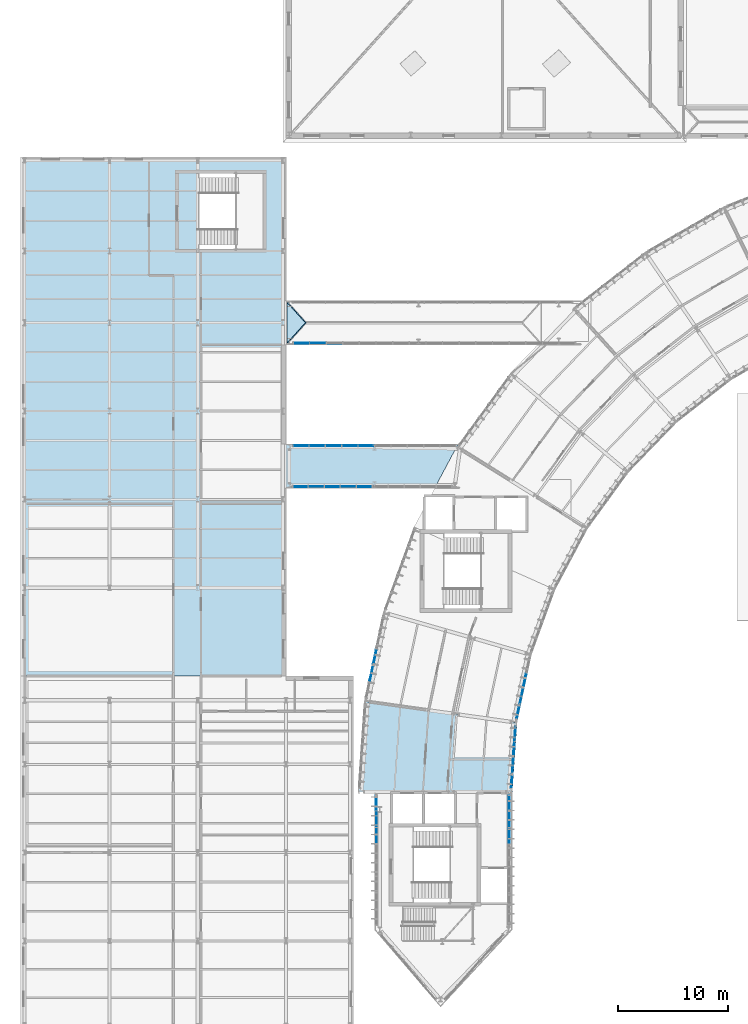
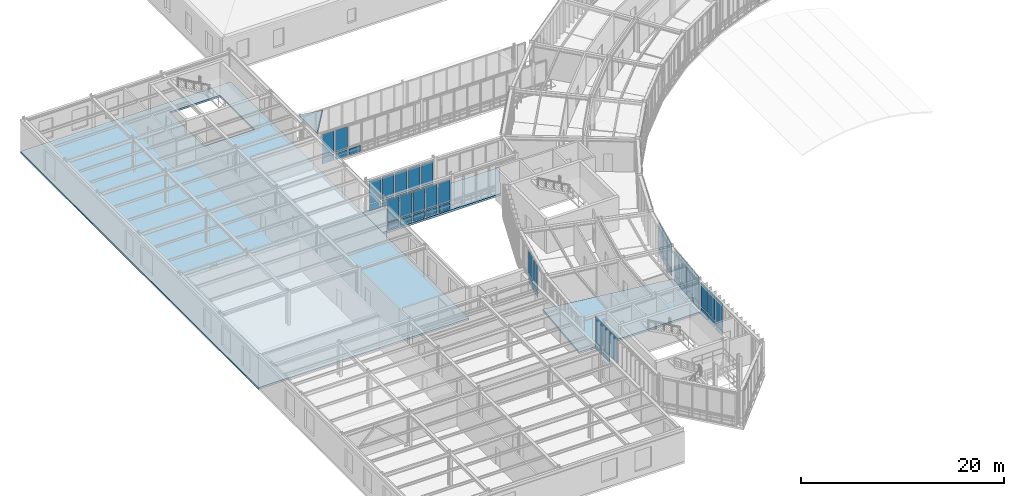
# One storey, part 26 of 57: 54 plates, 4 slabs, 8 elements without a shape of their own.
"""IFC4 building model written with IfcOpenShell, lengths in metres."""

from ifc_helpers import new_model, si_unit, direction, frame, origin, origin_2d, place, context, subcontext, project, spatial, polyline, rectangle, outline, extrude, material, layer, layer_set, type_object, element, aggregate, save


model = new_model("IFC4")

# Units and contexts
model_context = context("Model", 3, precision=1e-05, world=origin(), true_north=direction((0.0, 1.0)))
body_context = subcontext(model_context, "Body", "Model", "MODEL_VIEW")
ifc_project = project(units=[si_unit("LENGTHUNIT", "METRE"), si_unit("AREAUNIT", "SQUARE_METRE"), si_unit("VOLUMEUNIT", "CUBIC_METRE"), si_unit("PLANEANGLEUNIT", "RADIAN"), si_unit("MASSUNIT", "GRAM", prefix="KILO"), si_unit("THERMODYNAMICTEMPERATUREUNIT", "KELVIN"), si_unit("POWERUNIT", "WATT")], contexts=[model_context])

# Site, building, storey
site_placement = place(None, origin())
site = spatial("IfcSite", under=ifc_project, at=site_placement, CompositionType="ELEMENT")
building_placement = place(site_placement, origin())
building = spatial("IfcBuilding", under=site, at=building_placement, Name="Solvatero Civic Police Headquarters", CompositionType="ELEMENT")
storey_placement = place(building_placement, frame((0.0, 0.0, 9.300048828125)))
storey = spatial("IfcBuildingStorey", under=building, at=storey_placement, Name="L02", CompositionType="ELEMENT", Elevation=9.300048828125)

# Curtain wall, plate
ifc_material_1 = material(Name="Anodized Bronze Aluminium", Category="aluminium")
ifc_layer_1 = layer(ifc_material_1, 0.179931640625)
ifc_layer_set_1 = layer_set([ifc_layer_1], Name="Anodized Bronze Aluminium")
curtain_wall_type_1 = type_object("IfcCurtainWallType", Name="CW-ARC-OUT", PredefinedType="USERDEFINED", material=ifc_layer_set_1)
curtain_wall_1_placement = place(storey_placement, origin())
curtain_wall_1 = element("IfcCurtainWall", 1, at=curtain_wall_1_placement, inside=storey, type_object=curtain_wall_type_1, Name="Curtain Wall CW-R2-L02-ARC-OUT-B11", ObjectType="UNITISED", PredefinedType="USERDEFINED")
ifc_material_2 = material(Name="Triple Low-E Laminated Glass", Category="glass")
ifc_layer_2 = layer(ifc_material_2, 0.0380859375)
ifc_layer_set_2 = layer_set([ifc_layer_2], Name="Triple Low-E Laminated Glass")
plate_type_1 = type_object("IfcPlateType", Name="CWP-GLZ-38", PredefinedType="CURTAIN_PANEL", material=ifc_layer_set_2)
plate_1_placement = place(storey_placement, frame((36.2265625, 36.704833984375, 0.91015625), z_axis=(0.0, 0.0, 1.0), x_axis=(-0.207911690818, -0.978147600734, 0.0)))
plate_1 = element("IfcPlate", 2, at=plate_1_placement, type_object=plate_type_1, Name="CW-R2-L02-ARC-OUT-B11 Vision Glazing 4", PredefinedType="CURTAIN_PANEL", context=body_context, shape_type="SweptSolid", body=[
    extrude(rectangle(XDim=1.349609375, YDim=0.0380859375, at=origin_2d()), origin(), (0.0, 0.0, 1.0), 2.969970703125),
])

ifc_layer_3 = layer(ifc_material_1, 0.179931640625)
ifc_layer_set_3 = layer_set([ifc_layer_3], Name="Anodized Bronze Aluminium")
curtain_wall_type_2 = type_object("IfcCurtainWallType", Name="CW-ARC-IN", PredefinedType="USERDEFINED", material=ifc_layer_set_3)
curtain_wall_2_placement = place(storey_placement, origin())
curtain_wall_2 = element("IfcCurtainWall", 3, at=curtain_wall_2_placement, inside=storey, type_object=curtain_wall_type_2, Name="Curtain Wall CW-R2-L02-ARC-IN-B11", ObjectType="UNITISED", PredefinedType="USERDEFINED")
plate_2_placement = place(storey_placement, frame((49.827392578125, 34.670654296875, 0.91015625), z_axis=(0.0, 0.0, 1.0), x_axis=(-0.207911690818, -0.978147600734, 0.0)))
plate_2 = element("IfcPlate", 4, at=plate_2_placement, type_object=plate_type_1, Name="CW-R2-L02-ARC-IN-B11 Vision Glazing 3", PredefinedType="CURTAIN_PANEL", context=body_context, shape_type="SweptSolid", body=[
    extrude(rectangle(XDim=1.25048828125, YDim=0.0380859375, at=origin_2d()), origin(), (0.0, 0.0, 1.0), 2.969970703125),
])

# Curtain wall, plates
curtain_wall_3_placement = place(storey_placement, origin())
curtain_wall_3 = element("IfcCurtainWall", 5, at=curtain_wall_3_placement, inside=storey, type_object=curtain_wall_type_2, Name="Curtain Wall CW-R2-L02-ARC-IN-B12", ObjectType="UNITISED", PredefinedType="USERDEFINED")
plate_3_placement = place(storey_placement, frame((49.248291015625, 31.266357421875, 0.91015625), z_axis=(0.0, 0.0, 1.0), x_axis=(-0.069756473744, -0.99756405026, 0.0)))
plate_3 = element("IfcPlate", 6, at=plate_3_placement, type_object=plate_type_1, Name="CW-R2-L02-ARC-IN-B12 Vision Glazing 1", PredefinedType="CURTAIN_PANEL", context=body_context, shape_type="SweptSolid", body=[
    extrude(rectangle(XDim=1.253173828125, YDim=0.0380859375, at=origin_2d()), origin(), (0.0, 0.0, 1.0), 2.969970703125),
])
plate_4_placement = place(storey_placement, frame((49.04833984375, 28.406982421875, 0.91015625), z_axis=(0.0, 0.0, 1.0), x_axis=(-0.069756473744, -0.99756405026, 0.0)))
plate_4 = element("IfcPlate", 7, at=plate_4_placement, type_object=plate_type_1, Name="CW-R2-L02-ARC-IN-B12 Vision Glazing 3", PredefinedType="CURTAIN_PANEL", context=body_context, shape_type="SweptSolid", body=[
    extrude(rectangle(XDim=1.253173828125, YDim=0.0380859375, at=origin_2d()), origin(), (0.0, 0.0, 1.0), 2.969970703125),
])

# Curtain wall, plate
ifc_layer_4 = layer(ifc_material_1, 0.179931640625)
ifc_layer_set_4 = layer_set([ifc_layer_4], Name="Anodized Bronze Aluminium")
curtain_wall_type_3 = type_object("IfcCurtainWallType", Name="CW-PROW-GLZ", PredefinedType="USERDEFINED", material=ifc_layer_set_4)
curtain_wall_4_placement = place(storey_placement, origin())
curtain_wall_4 = element("IfcCurtainWall", 8, at=curtain_wall_4_placement, inside=storey, type_object=curtain_wall_type_3, Name="Curtain Wall CW-R2-L02-PROW-W", ObjectType="UNITISED", PredefinedType="USERDEFINED")
plate_5_placement = place(storey_placement, frame((36.679931640625, 23.52197265625, 0.91015625), z_axis=(0.0, 0.0, 1.0), x_axis=(0.0, -1.0, 0.0)))
plate_5 = element("IfcPlate", 9, at=plate_5_placement, type_object=plate_type_1, Name="CW-R2-L02-PROW-W Vision Glazing 2", PredefinedType="CURTAIN_PANEL", context=body_context, shape_type="SweptSolid", body=[
    extrude(rectangle(XDim=1.298583984375, YDim=0.0380859375, at=origin_2d()), origin(), (0.0, 0.0, 1.0), 2.969970703125),
])

curtain_wall_5_placement = place(storey_placement, origin())
curtain_wall_5 = element("IfcCurtainWall", 10, at=curtain_wall_5_placement, inside=storey, type_object=curtain_wall_type_3, Name="Curtain Wall CW-R2-L02-PROW-E", ObjectType="UNITISED", PredefinedType="USERDEFINED")
plate_6_placement = place(storey_placement, frame((48.719970703125, 23.50634765625, 0.91015625), z_axis=(0.0, 0.0, 1.0), x_axis=(0.0, 1.0, 0.0)))
plate_6 = element("IfcPlate", 11, at=plate_6_placement, type_object=plate_type_1, Name="CW-R2-L02-PROW-E Vision Glazing 7", PredefinedType="CURTAIN_PANEL", context=body_context, shape_type="SweptSolid", body=[
    extrude(rectangle(XDim=1.29638671875, YDim=0.0380859375, at=origin_2d()), origin(), (0.0, 0.0, 1.0), 2.969970703125),
])

# Curtain wall, plates
ifc_layer_5 = layer(ifc_material_1, 0.179931640625)
ifc_layer_set_5 = layer_set([ifc_layer_5], Name="Anodized Bronze Aluminium")
curtain_wall_type_4 = type_object("IfcCurtainWallType", Name="CW-SB-GLZ", PredefinedType="USERDEFINED", material=ifc_layer_set_5)
curtain_wall_6_placement = place(storey_placement, origin())
curtain_wall_6 = element("IfcCurtainWall", 12, at=curtain_wall_6_placement, inside=storey, type_object=curtain_wall_type_4, Name="Curtain Wall CW-R2-L02-SB1-S", ObjectType="UNITISED", PredefinedType="USERDEFINED")
plate_7_placement = place(storey_placement, frame((31.229248046875, 53.64990234375, 0.91015625), z_axis=(0.0, 0.0, 1.0), x_axis=(1.0, 0.0, 0.0)))
plate_7 = element("IfcPlate", 13, at=plate_7_placement, type_object=plate_type_1, Name="CW-R2-L02-SB1-S Vision Glazing 2", PredefinedType="CURTAIN_PANEL", context=body_context, shape_type="SweptSolid", body=[
    extrude(rectangle(XDim=1.268798828125, YDim=0.0380859375, at=origin_2d()), origin(), (0.0, 0.0, 1.0), 2.679931640625),
])
plate_8_placement = place(storey_placement, frame((34.126708984375, 53.64990234375, 0.91015625), z_axis=(0.0, 0.0, 1.0), x_axis=(1.0, 0.0, 0.0)))
plate_8 = element("IfcPlate", 14, at=plate_8_placement, type_object=plate_type_1, Name="CW-R2-L02-SB1-S Vision Glazing 4", PredefinedType="CURTAIN_PANEL", context=body_context, shape_type="SweptSolid", body=[
    extrude(rectangle(XDim=1.268798828125, YDim=0.0380859375, at=origin_2d()), origin(), (0.0, 0.0, 1.0), 2.679931640625),
])

curtain_wall_7_placement = place(storey_placement, origin())
curtain_wall_7 = element("IfcCurtainWall", 15, at=curtain_wall_7_placement, inside=storey, type_object=curtain_wall_type_4, Name="Curtain Wall CW-R2-L02-SB1-N", ObjectType="UNITISED", PredefinedType="USERDEFINED")
plate_9_placement = place(storey_placement, frame((29.83251953125, 57.35009765625, 0.91015625), z_axis=(0.0, 0.0, 1.0), x_axis=(1.0, 0.0, 0.0)))
plate_9 = element("IfcPlate", 16, at=plate_9_placement, type_object=plate_type_1, Name="CW-R2-L02-SB1-N Vision Glazing 1", PredefinedType="CURTAIN_PANEL", context=body_context, shape_type="SweptSolid", body=[
    extrude(rectangle(XDim=1.304931640625, YDim=0.0380859375, at=origin_2d()), origin(), (0.0, 0.0, 1.0), 2.679931640625),
])
plate_10_placement = place(storey_placement, frame((32.802490234375, 57.35009765625, 0.91015625), z_axis=(0.0, 0.0, 1.0), x_axis=(1.0, 0.0, 0.0)))
plate_10 = element("IfcPlate", 17, at=plate_10_placement, type_object=plate_type_1, Name="CW-R2-L02-SB1-N Vision Glazing 3", PredefinedType="CURTAIN_PANEL", context=body_context, shape_type="SweptSolid", body=[
    extrude(rectangle(XDim=1.304931640625, YDim=0.0380859375, at=origin_2d()), origin(), (0.0, 0.0, 1.0), 2.679931640625),
])
plate_11_placement = place(storey_placement, frame((35.7724609375, 57.35009765625, 0.91015625), z_axis=(0.0, 0.0, 1.0), x_axis=(1.0, 0.0, 0.0)))
plate_11 = element("IfcPlate", 18, at=plate_11_placement, type_object=plate_type_1, Name="CW-R2-L02-SB1-N Vision Glazing 5", PredefinedType="CURTAIN_PANEL", context=body_context, shape_type="SweptSolid", body=[
    extrude(rectangle(XDim=1.304931640625, YDim=0.0380859375, at=origin_2d()), origin(), (0.0, 0.0, 1.0), 2.679931640625),
])

# Curtain wall, plate
curtain_wall_8_placement = place(storey_placement, origin())
curtain_wall_8 = element("IfcCurtainWall", 19, at=curtain_wall_8_placement, inside=storey, type_object=curtain_wall_type_4, Name="Curtain Wall CW-R2-L02-SB2-S", ObjectType="UNITISED", PredefinedType="USERDEFINED")
plate_12_placement = place(storey_placement, frame((31.3759765625, 66.64990234375, 0.91015625), z_axis=(0.0, 0.0, 1.0), x_axis=(1.0, 0.0, 0.0)))
plate_12 = element("IfcPlate", 20, at=plate_12_placement, type_object=plate_type_1, Name="CW-R2-L02-SB2-S Vision Glazing 2", PredefinedType="CURTAIN_PANEL", context=body_context, shape_type="SweptSolid", body=[
    extrude(rectangle(XDim=1.327392578125, YDim=0.0380859375, at=origin_2d()), origin(), (0.0, 0.0, 1.0), 2.679931640625),
])

# Plate
ifc_material_3 = material(Name="Acoustic Ballistic Laminated Glass", Category="glass")
ifc_layer_6 = layer(ifc_material_3, 0.0439453125)
ifc_layer_set_6 = layer_set([ifc_layer_6], Name="Acoustic Ballistic Laminated Glass")
plate_type_2 = type_object("IfcPlateType", Name="CWP-GLZ-44", PredefinedType="CURTAIN_PANEL", material=ifc_layer_set_6)
plate_13_placement = place(storey_placement, frame((36.544677734375, 38.20068359375, 0.91015625), z_axis=(0.0, 0.0, 1.0), x_axis=(-0.207911690818, -0.978147600734, 0.0)))
plate_13 = element("IfcPlate", 21, at=plate_13_placement, type_object=plate_type_2, Name="CW-R2-L02-ARC-OUT-B11 Vision Glazing 3", PredefinedType="CURTAIN_PANEL", context=body_context, shape_type="SweptSolid", body=[
    extrude(rectangle(XDim=1.349609375, YDim=0.0439453125, at=origin_2d()), origin(), (0.0, 0.0, 1.0), 2.969970703125),
])

plate_14_placement = place(storey_placement, frame((50.124755859375, 36.070068359375, 0.91015625), z_axis=(0.0, 0.0, 1.0), x_axis=(-0.207911690818, -0.978147600734, 0.0)))
plate_14 = element("IfcPlate", 22, at=plate_14_placement, type_object=plate_type_2, Name="CW-R2-L02-ARC-IN-B11 Vision Glazing 2", PredefinedType="CURTAIN_PANEL", context=body_context, shape_type="SweptSolid", body=[
    extrude(rectangle(XDim=1.25048828125, YDim=0.0439453125, at=origin_2d()), origin(), (0.0, 0.0, 1.0), 2.969970703125),
])

plate_15_placement = place(storey_placement, frame((49.52978515625, 33.271484375, 0.91015625), z_axis=(0.0, 0.0, 1.0), x_axis=(-0.207911690818, -0.978147600734, 0.0)))
plate_15 = element("IfcPlate", 23, at=plate_15_placement, type_object=plate_type_2, Name="CW-R2-L02-ARC-IN-B11 Vision Glazing 4", PredefinedType="CURTAIN_PANEL", context=body_context, shape_type="SweptSolid", body=[
    extrude(rectangle(XDim=1.25048828125, YDim=0.0439453125, at=origin_2d()), origin(), (0.0, 0.0, 1.0), 2.969970703125),
])

plate_16_placement = place(storey_placement, frame((49.148193359375, 29.836669921875, 0.91015625), z_axis=(0.0, 0.0, 1.0), x_axis=(-0.069756473744, -0.99756405026, 0.0)))
plate_16 = element("IfcPlate", 24, at=plate_16_placement, type_object=plate_type_2, Name="CW-R2-L02-ARC-IN-B12 Vision Glazing 2", PredefinedType="CURTAIN_PANEL", context=body_context, shape_type="SweptSolid", body=[
    extrude(rectangle(XDim=1.253173828125, YDim=0.0439453125, at=origin_2d()), origin(), (0.0, 0.0, 1.0), 2.969970703125),
])

plate_17_placement = place(storey_placement, frame((48.9482421875, 26.977294921875, 0.91015625), z_axis=(0.0, 0.0, 1.0), x_axis=(-0.069756473744, -0.99756405026, 0.0)))
plate_17 = element("IfcPlate", 25, at=plate_17_placement, type_object=plate_type_2, Name="CW-R2-L02-ARC-IN-B12 Vision Glazing 4", PredefinedType="CURTAIN_PANEL", context=body_context, shape_type="SweptSolid", body=[
    extrude(rectangle(XDim=1.253173828125, YDim=0.0439453125, at=origin_2d()), origin(), (0.0, 0.0, 1.0), 2.969970703125),
])

plate_18_placement = place(storey_placement, frame((36.679931640625, 25.00048828125, 0.91015625), z_axis=(0.0, 0.0, 1.0), x_axis=(0.0, -1.0, 0.0)))
plate_18 = element("IfcPlate", 26, at=plate_18_placement, type_object=plate_type_2, Name="CW-R2-L02-PROW-W Vision Glazing 1", PredefinedType="CURTAIN_PANEL", context=body_context, shape_type="SweptSolid", body=[
    extrude(rectangle(XDim=1.298583984375, YDim=0.0439453125, at=origin_2d()), origin(), (0.0, 0.0, 1.0), 2.969970703125),
])

plate_19_placement = place(storey_placement, frame((36.679931640625, 22.043212890625, 0.91015625), z_axis=(0.0, 0.0, 1.0), x_axis=(0.0, -1.0, 0.0)))
plate_19 = element("IfcPlate", 27, at=plate_19_placement, type_object=plate_type_2, Name="CW-R2-L02-PROW-W Vision Glazing 3", PredefinedType="CURTAIN_PANEL", context=body_context, shape_type="SweptSolid", body=[
    extrude(rectangle(XDim=1.298828125, YDim=0.0439453125, at=origin_2d()), origin(), (0.0, 0.0, 1.0), 2.969970703125),
])

plate_20_placement = place(storey_placement, frame((48.719970703125, 22.030029296875, 0.91015625), z_axis=(0.0, 0.0, 1.0), x_axis=(0.0, 1.0, 0.0)))
plate_20 = element("IfcPlate", 28, at=plate_20_placement, type_object=plate_type_2, Name="CW-R2-L02-PROW-E Vision Glazing 6", PredefinedType="CURTAIN_PANEL", context=body_context, shape_type="SweptSolid", body=[
    extrude(rectangle(XDim=1.29638671875, YDim=0.0439453125, at=origin_2d()), origin(), (0.0, 0.0, 1.0), 2.969970703125),
])

plate_21_placement = place(storey_placement, frame((48.719970703125, 24.98291015625, 0.91015625), z_axis=(0.0, 0.0, 1.0), x_axis=(0.0, 1.0, 0.0)))
plate_21 = element("IfcPlate", 29, at=plate_21_placement, type_object=plate_type_2, Name="CW-R2-L02-PROW-E Vision Glazing 8", PredefinedType="CURTAIN_PANEL", context=body_context, shape_type="SweptSolid", body=[
    extrude(rectangle(XDim=1.29638671875, YDim=0.0439453125, at=origin_2d()), origin(), (0.0, 0.0, 1.0), 2.969970703125),
])

plate_22_placement = place(storey_placement, frame((29.780517578125, 53.64990234375, 0.91015625), z_axis=(0.0, 0.0, 1.0), x_axis=(1.0, 0.0, 0.0)))
plate_22 = element("IfcPlate", 30, at=plate_22_placement, type_object=plate_type_2, Name="CW-R2-L02-SB1-S Vision Glazing 1", PredefinedType="CURTAIN_PANEL", context=body_context, shape_type="SweptSolid", body=[
    extrude(rectangle(XDim=1.268798828125, YDim=0.0439453125, at=origin_2d()), origin(), (0.0, 0.0, 1.0), 2.679931640625),
])

plate_23_placement = place(storey_placement, frame((32.677978515625, 53.64990234375, 0.91015625), z_axis=(0.0, 0.0, 1.0), x_axis=(1.0, 0.0, 0.0)))
plate_23 = element("IfcPlate", 31, at=plate_23_placement, type_object=plate_type_2, Name="CW-R2-L02-SB1-S Vision Glazing 3", PredefinedType="CURTAIN_PANEL", context=body_context, shape_type="SweptSolid", body=[
    extrude(rectangle(XDim=1.268798828125, YDim=0.0439453125, at=origin_2d()), origin(), (0.0, 0.0, 1.0), 2.679931640625),
])

plate_24_placement = place(storey_placement, frame((35.57568359375, 53.64990234375, 0.91015625), z_axis=(0.0, 0.0, 1.0), x_axis=(1.0, 0.0, 0.0)))
plate_24 = element("IfcPlate", 32, at=plate_24_placement, type_object=plate_type_2, Name="CW-R2-L02-SB1-S Vision Glazing 5", PredefinedType="CURTAIN_PANEL", context=body_context, shape_type="SweptSolid", body=[
    extrude(rectangle(XDim=1.268798828125, YDim=0.0439453125, at=origin_2d()), origin(), (0.0, 0.0, 1.0), 2.679931640625),
])

plate_25_placement = place(storey_placement, frame((31.3173828125, 57.35009765625, 0.91015625), z_axis=(0.0, 0.0, 1.0), x_axis=(1.0, 0.0, 0.0)))
plate_25 = element("IfcPlate", 33, at=plate_25_placement, type_object=plate_type_2, Name="CW-R2-L02-SB1-N Vision Glazing 2", PredefinedType="CURTAIN_PANEL", context=body_context, shape_type="SweptSolid", body=[
    extrude(rectangle(XDim=1.304931640625, YDim=0.0439453125, at=origin_2d()), origin(), (0.0, 0.0, 1.0), 2.679931640625),
])

plate_26_placement = place(storey_placement, frame((34.28759765625, 57.35009765625, 0.91015625), z_axis=(0.0, 0.0, 1.0), x_axis=(1.0, 0.0, 0.0)))
plate_26 = element("IfcPlate", 34, at=plate_26_placement, type_object=plate_type_2, Name="CW-R2-L02-SB1-N Vision Glazing 4", PredefinedType="CURTAIN_PANEL", context=body_context, shape_type="SweptSolid", body=[
    extrude(rectangle(XDim=1.304931640625, YDim=0.0439453125, at=origin_2d()), origin(), (0.0, 0.0, 1.0), 2.679931640625),
])

plate_27_placement = place(storey_placement, frame((29.86865234375, 66.64990234375, 0.91015625), z_axis=(0.0, 0.0, 1.0), x_axis=(1.0, 0.0, 0.0)))
plate_27 = element("IfcPlate", 35, at=plate_27_placement, type_object=plate_type_2, Name="CW-R2-L02-SB2-S Vision Glazing 1", PredefinedType="CURTAIN_PANEL", context=body_context, shape_type="SweptSolid", body=[
    extrude(rectangle(XDim=1.327392578125, YDim=0.0439453125, at=origin_2d()), origin(), (0.0, 0.0, 1.0), 2.679931640625),
])

ifc_material_4 = material(Name="Insulated Bronze Aluminium Spandrel", Category="aluminium")
ifc_layer_7 = layer(ifc_material_4, 0.06005859375)
ifc_layer_set_7 = layer_set([ifc_layer_7], Name="Insulated Bronze Aluminium Spandrel")
plate_type_3 = type_object("IfcPlateType", Name="CWP-SPN-60", PredefinedType="CURTAIN_PANEL", material=ifc_layer_set_7)
plate_28_placement = place(storey_placement, frame((36.2265625, 36.704833984375, 0.06005859375), z_axis=(0.0, 0.0, 1.0), x_axis=(-0.207911690818, -0.978147600734, 0.0)))
plate_28 = element("IfcPlate", 36, at=plate_28_placement, type_object=plate_type_3, Name="CW-R2-L02-ARC-OUT-B11 Spandrel Panel 4", PredefinedType="CURTAIN_PANEL", context=body_context, shape_type="SweptSolid", body=[
    extrude(rectangle(XDim=1.349609375, YDim=0.06005859375, at=origin_2d()), origin(), (0.0, 0.0, 1.0), 0.72998046875),
])

plate_29_placement = place(storey_placement, frame((49.827392578125, 34.670654296875, 0.06005859375), z_axis=(0.0, 0.0, 1.0), x_axis=(-0.207911690818, -0.978147600734, 0.0)))
plate_29 = element("IfcPlate", 37, at=plate_29_placement, type_object=plate_type_3, Name="CW-R2-L02-ARC-IN-B11 Spandrel Panel 3", PredefinedType="CURTAIN_PANEL", context=body_context, shape_type="SweptSolid", body=[
    extrude(rectangle(XDim=1.25048828125, YDim=0.06005859375, at=origin_2d()), origin(), (0.0, 0.0, 1.0), 0.72998046875),
])

plate_30_placement = place(storey_placement, frame((49.248291015625, 31.266357421875, 0.06005859375), z_axis=(0.0, 0.0, 1.0), x_axis=(-0.069756473744, -0.99756405026, 0.0)))
plate_30 = element("IfcPlate", 38, at=plate_30_placement, type_object=plate_type_3, Name="CW-R2-L02-ARC-IN-B12 Spandrel Panel 1", PredefinedType="CURTAIN_PANEL", context=body_context, shape_type="SweptSolid", body=[
    extrude(rectangle(XDim=1.253173828125, YDim=0.06005859375, at=origin_2d()), origin(), (0.0, 0.0, 1.0), 0.72998046875),
])

plate_31_placement = place(storey_placement, frame((49.04833984375, 28.406982421875, 0.06005859375), z_axis=(0.0, 0.0, 1.0), x_axis=(-0.069756473744, -0.99756405026, 0.0)))
plate_31 = element("IfcPlate", 39, at=plate_31_placement, type_object=plate_type_3, Name="CW-R2-L02-ARC-IN-B12 Spandrel Panel 3", PredefinedType="CURTAIN_PANEL", context=body_context, shape_type="SweptSolid", body=[
    extrude(rectangle(XDim=1.253173828125, YDim=0.06005859375, at=origin_2d()), origin(), (0.0, 0.0, 1.0), 0.72998046875),
])

plate_32_placement = place(storey_placement, frame((36.679931640625, 23.52197265625, 0.06005859375), z_axis=(0.0, 0.0, 1.0), x_axis=(0.0, -1.0, 0.0)))
plate_32 = element("IfcPlate", 40, at=plate_32_placement, type_object=plate_type_3, Name="CW-R2-L02-PROW-W Spandrel Panel 2", PredefinedType="CURTAIN_PANEL", context=body_context, shape_type="SweptSolid", body=[
    extrude(rectangle(XDim=1.298583984375, YDim=0.06005859375, at=origin_2d()), origin(), (0.0, 0.0, 1.0), 0.72998046875),
])

plate_33_placement = place(storey_placement, frame((48.719970703125, 23.50634765625, 0.06005859375), z_axis=(0.0, 0.0, 1.0), x_axis=(0.0, 1.0, 0.0)))
plate_33 = element("IfcPlate", 41, at=plate_33_placement, type_object=plate_type_3, Name="CW-R2-L02-PROW-E Spandrel Panel 7", PredefinedType="CURTAIN_PANEL", context=body_context, shape_type="SweptSolid", body=[
    extrude(rectangle(XDim=1.29638671875, YDim=0.06005859375, at=origin_2d()), origin(), (0.0, 0.0, 1.0), 0.72998046875),
])

plate_34_placement = place(storey_placement, frame((31.229248046875, 53.64990234375, 0.06005859375), z_axis=(0.0, 0.0, 1.0), x_axis=(1.0, 0.0, 0.0)))
plate_34 = element("IfcPlate", 42, at=plate_34_placement, type_object=plate_type_3, Name="CW-R2-L02-SB1-S Spandrel Panel 2", PredefinedType="CURTAIN_PANEL", context=body_context, shape_type="SweptSolid", body=[
    extrude(rectangle(XDim=1.268798828125, YDim=0.06005859375, at=origin_2d()), origin(), (0.0, 0.0, 1.0), 0.72998046875),
])

plate_35_placement = place(storey_placement, frame((34.126708984375, 53.64990234375, 0.06005859375), z_axis=(0.0, 0.0, 1.0), x_axis=(1.0, 0.0, 0.0)))
plate_35 = element("IfcPlate", 43, at=plate_35_placement, type_object=plate_type_3, Name="CW-R2-L02-SB1-S Spandrel Panel 4", PredefinedType="CURTAIN_PANEL", context=body_context, shape_type="SweptSolid", body=[
    extrude(rectangle(XDim=1.268798828125, YDim=0.06005859375, at=origin_2d()), origin(), (0.0, 0.0, 1.0), 0.72998046875),
])

plate_36_placement = place(storey_placement, frame((29.83251953125, 57.35009765625, 0.06005859375), z_axis=(0.0, 0.0, 1.0), x_axis=(1.0, 0.0, 0.0)))
plate_36 = element("IfcPlate", 44, at=plate_36_placement, type_object=plate_type_3, Name="CW-R2-L02-SB1-N Spandrel Panel 1", PredefinedType="CURTAIN_PANEL", context=body_context, shape_type="SweptSolid", body=[
    extrude(rectangle(XDim=1.304931640625, YDim=0.06005859375, at=origin_2d()), origin(), (0.0, 0.0, 1.0), 0.72998046875),
])

plate_37_placement = place(storey_placement, frame((32.802490234375, 57.35009765625, 0.06005859375), z_axis=(0.0, 0.0, 1.0), x_axis=(1.0, 0.0, 0.0)))
plate_37 = element("IfcPlate", 45, at=plate_37_placement, type_object=plate_type_3, Name="CW-R2-L02-SB1-N Spandrel Panel 3", PredefinedType="CURTAIN_PANEL", context=body_context, shape_type="SweptSolid", body=[
    extrude(rectangle(XDim=1.304931640625, YDim=0.06005859375, at=origin_2d()), origin(), (0.0, 0.0, 1.0), 0.72998046875),
])

plate_38_placement = place(storey_placement, frame((35.7724609375, 57.35009765625, 0.06005859375), z_axis=(0.0, 0.0, 1.0), x_axis=(1.0, 0.0, 0.0)))
plate_38 = element("IfcPlate", 46, at=plate_38_placement, type_object=plate_type_3, Name="CW-R2-L02-SB1-N Spandrel Panel 5", PredefinedType="CURTAIN_PANEL", context=body_context, shape_type="SweptSolid", body=[
    extrude(rectangle(XDim=1.304931640625, YDim=0.06005859375, at=origin_2d()), origin(), (0.0, 0.0, 1.0), 0.72998046875),
])

plate_39_placement = place(storey_placement, frame((31.3759765625, 66.64990234375, 0.06005859375), z_axis=(0.0, 0.0, 1.0), x_axis=(1.0, 0.0, 0.0)))
plate_39 = element("IfcPlate", 47, at=plate_39_placement, type_object=plate_type_3, Name="CW-R2-L02-SB2-S Spandrel Panel 2", PredefinedType="CURTAIN_PANEL", context=body_context, shape_type="SweptSolid", body=[
    extrude(rectangle(XDim=1.327392578125, YDim=0.06005859375, at=origin_2d()), origin(), (0.0, 0.0, 1.0), 0.72998046875),
])

ifc_material_5 = material(Name="Limestone Veneer Spandrel Panel", Category="masonry")
ifc_layer_8 = layer(ifc_material_5, 0.074951171875)
ifc_layer_set_8 = layer_set([ifc_layer_8], Name="Limestone Veneer Spandrel Panel")
plate_type_4 = type_object("IfcPlateType", Name="CWP-SPN-75", PredefinedType="CURTAIN_PANEL", material=ifc_layer_set_8)
plate_40_placement = place(storey_placement, frame((36.544677734375, 38.20068359375, 0.06005859375), z_axis=(0.0, 0.0, 1.0), x_axis=(-0.207911690818, -0.978147600734, 0.0)))
plate_40 = element("IfcPlate", 48, at=plate_40_placement, type_object=plate_type_4, Name="CW-R2-L02-ARC-OUT-B11 Spandrel Panel 3", PredefinedType="CURTAIN_PANEL", context=body_context, shape_type="SweptSolid", body=[
    extrude(rectangle(XDim=1.349609375, YDim=0.074951171875, at=origin_2d()), origin(), (0.0, 0.0, 1.0), 0.72998046875),
])

aggregate(curtain_wall_1, [plate_40, plate_13, plate_28, plate_1])

plate_41_placement = place(storey_placement, frame((50.124755859375, 36.070068359375, 0.06005859375), z_axis=(0.0, 0.0, 1.0), x_axis=(-0.207911690818, -0.978147600734, 0.0)))
plate_41 = element("IfcPlate", 49, at=plate_41_placement, type_object=plate_type_4, Name="CW-R2-L02-ARC-IN-B11 Spandrel Panel 2", PredefinedType="CURTAIN_PANEL", context=body_context, shape_type="SweptSolid", body=[
    extrude(rectangle(XDim=1.25048828125, YDim=0.074951171875, at=origin_2d()), origin(), (0.0, 0.0, 1.0), 0.72998046875),
])

plate_42_placement = place(storey_placement, frame((49.52978515625, 33.271484375, 0.06005859375), z_axis=(0.0, 0.0, 1.0), x_axis=(-0.207911690818, -0.978147600734, 0.0)))
plate_42 = element("IfcPlate", 50, at=plate_42_placement, type_object=plate_type_4, Name="CW-R2-L02-ARC-IN-B11 Spandrel Panel 4", PredefinedType="CURTAIN_PANEL", context=body_context, shape_type="SweptSolid", body=[
    extrude(rectangle(XDim=1.25048828125, YDim=0.074951171875, at=origin_2d()), origin(), (0.0, 0.0, 1.0), 0.72998046875),
])

aggregate(curtain_wall_2, [plate_41, plate_14, plate_29, plate_2, plate_42, plate_15])

plate_43_placement = place(storey_placement, frame((49.148193359375, 29.836669921875, 0.06005859375), z_axis=(0.0, 0.0, 1.0), x_axis=(-0.069756473744, -0.99756405026, 0.0)))
plate_43 = element("IfcPlate", 51, at=plate_43_placement, type_object=plate_type_4, Name="CW-R2-L02-ARC-IN-B12 Spandrel Panel 2", PredefinedType="CURTAIN_PANEL", context=body_context, shape_type="SweptSolid", body=[
    extrude(rectangle(XDim=1.253173828125, YDim=0.074951171875, at=origin_2d()), origin(), (0.0, 0.0, 1.0), 0.72998046875),
])

plate_44_placement = place(storey_placement, frame((48.9482421875, 26.977294921875, 0.06005859375), z_axis=(0.0, 0.0, 1.0), x_axis=(-0.069756473744, -0.99756405026, 0.0)))
plate_44 = element("IfcPlate", 52, at=plate_44_placement, type_object=plate_type_4, Name="CW-R2-L02-ARC-IN-B12 Spandrel Panel 4", PredefinedType="CURTAIN_PANEL", context=body_context, shape_type="SweptSolid", body=[
    extrude(rectangle(XDim=1.253173828125, YDim=0.074951171875, at=origin_2d()), origin(), (0.0, 0.0, 1.0), 0.72998046875),
])

aggregate(curtain_wall_3, [plate_30, plate_3, plate_43, plate_16, plate_31, plate_4, plate_44, plate_17])

plate_45_placement = place(storey_placement, frame((36.679931640625, 25.00048828125, 0.06005859375), z_axis=(0.0, 0.0, 1.0), x_axis=(0.0, -1.0, 0.0)))
plate_45 = element("IfcPlate", 53, at=plate_45_placement, type_object=plate_type_4, Name="CW-R2-L02-PROW-W Spandrel Panel 1", PredefinedType="CURTAIN_PANEL", context=body_context, shape_type="SweptSolid", body=[
    extrude(rectangle(XDim=1.298583984375, YDim=0.074951171875, at=origin_2d()), origin(), (0.0, 0.0, 1.0), 0.72998046875),
])

aggregate(curtain_wall_4, [plate_45, plate_18, plate_32, plate_5, plate_19])

plate_46_placement = place(storey_placement, frame((48.719970703125, 22.030029296875, 0.06005859375), z_axis=(0.0, 0.0, 1.0), x_axis=(0.0, 1.0, 0.0)))
plate_46 = element("IfcPlate", 54, at=plate_46_placement, type_object=plate_type_4, Name="CW-R2-L02-PROW-E Spandrel Panel 6", PredefinedType="CURTAIN_PANEL", context=body_context, shape_type="SweptSolid", body=[
    extrude(rectangle(XDim=1.29638671875, YDim=0.074951171875, at=origin_2d()), origin(), (0.0, 0.0, 1.0), 0.72998046875),
])

plate_47_placement = place(storey_placement, frame((48.719970703125, 24.98291015625, 0.06005859375), z_axis=(0.0, 0.0, 1.0), x_axis=(0.0, 1.0, 0.0)))
plate_47 = element("IfcPlate", 55, at=plate_47_placement, type_object=plate_type_4, Name="CW-R2-L02-PROW-E Spandrel Panel 8", PredefinedType="CURTAIN_PANEL", context=body_context, shape_type="SweptSolid", body=[
    extrude(rectangle(XDim=1.29638671875, YDim=0.074951171875, at=origin_2d()), origin(), (0.0, 0.0, 1.0), 0.72998046875),
])

aggregate(curtain_wall_5, [plate_46, plate_20, plate_33, plate_6, plate_47, plate_21])

plate_48_placement = place(storey_placement, frame((29.780517578125, 53.64990234375, 0.06005859375), z_axis=(0.0, 0.0, 1.0), x_axis=(1.0, 0.0, 0.0)))
plate_48 = element("IfcPlate", 56, at=plate_48_placement, type_object=plate_type_4, Name="CW-R2-L02-SB1-S Spandrel Panel 1", PredefinedType="CURTAIN_PANEL", context=body_context, shape_type="SweptSolid", body=[
    extrude(rectangle(XDim=1.268798828125, YDim=0.074951171875, at=origin_2d()), origin(), (0.0, 0.0, 1.0), 0.72998046875),
])

plate_49_placement = place(storey_placement, frame((32.677978515625, 53.64990234375, 0.06005859375), z_axis=(0.0, 0.0, 1.0), x_axis=(1.0, 0.0, 0.0)))
plate_49 = element("IfcPlate", 57, at=plate_49_placement, type_object=plate_type_4, Name="CW-R2-L02-SB1-S Spandrel Panel 3", PredefinedType="CURTAIN_PANEL", context=body_context, shape_type="SweptSolid", body=[
    extrude(rectangle(XDim=1.268798828125, YDim=0.074951171875, at=origin_2d()), origin(), (0.0, 0.0, 1.0), 0.72998046875),
])

plate_50_placement = place(storey_placement, frame((35.57568359375, 53.64990234375, 0.06005859375), z_axis=(0.0, 0.0, 1.0), x_axis=(1.0, 0.0, 0.0)))
plate_50 = element("IfcPlate", 58, at=plate_50_placement, type_object=plate_type_4, Name="CW-R2-L02-SB1-S Spandrel Panel 5", PredefinedType="CURTAIN_PANEL", context=body_context, shape_type="SweptSolid", body=[
    extrude(rectangle(XDim=1.268798828125, YDim=0.074951171875, at=origin_2d()), origin(), (0.0, 0.0, 1.0), 0.72998046875),
])

aggregate(curtain_wall_6, [plate_48, plate_22, plate_34, plate_7, plate_49, plate_23, plate_35, plate_8, plate_50, plate_24])

plate_51_placement = place(storey_placement, frame((31.3173828125, 57.35009765625, 0.06005859375), z_axis=(0.0, 0.0, 1.0), x_axis=(1.0, 0.0, 0.0)))
plate_51 = element("IfcPlate", 59, at=plate_51_placement, type_object=plate_type_4, Name="CW-R2-L02-SB1-N Spandrel Panel 2", PredefinedType="CURTAIN_PANEL", context=body_context, shape_type="SweptSolid", body=[
    extrude(rectangle(XDim=1.304931640625, YDim=0.074951171875, at=origin_2d()), origin(), (0.0, 0.0, 1.0), 0.72998046875),
])

plate_52_placement = place(storey_placement, frame((34.28759765625, 57.35009765625, 0.06005859375), z_axis=(0.0, 0.0, 1.0), x_axis=(1.0, 0.0, 0.0)))
plate_52 = element("IfcPlate", 60, at=plate_52_placement, type_object=plate_type_4, Name="CW-R2-L02-SB1-N Spandrel Panel 4", PredefinedType="CURTAIN_PANEL", context=body_context, shape_type="SweptSolid", body=[
    extrude(rectangle(XDim=1.304931640625, YDim=0.074951171875, at=origin_2d()), origin(), (0.0, 0.0, 1.0), 0.72998046875),
])

aggregate(curtain_wall_7, [plate_36, plate_9, plate_51, plate_25, plate_37, plate_10, plate_52, plate_26, plate_38, plate_11])

plate_53_placement = place(storey_placement, frame((29.86865234375, 66.64990234375, 0.06005859375), z_axis=(0.0, 0.0, 1.0), x_axis=(1.0, 0.0, 0.0)))
plate_53 = element("IfcPlate", 61, at=plate_53_placement, type_object=plate_type_4, Name="CW-R2-L02-SB2-S Spandrel Panel 1", PredefinedType="CURTAIN_PANEL", context=body_context, shape_type="SweptSolid", body=[
    extrude(rectangle(XDim=1.327392578125, YDim=0.074951171875, at=origin_2d()), origin(), (0.0, 0.0, 1.0), 0.72998046875),
])

plate_54_placement = place(storey_placement, frame((32.88330078125, 66.64990234375, 0.06005859375), z_axis=(0.0, 0.0, 1.0), x_axis=(1.0, 0.0, 0.0)))
plate_54 = element("IfcPlate", 62, at=plate_54_placement, type_object=plate_type_4, Name="CW-R2-L02-SB2-S Spandrel Panel 3", PredefinedType="CURTAIN_PANEL", context=body_context, shape_type="SweptSolid", body=[
    extrude(rectangle(XDim=1.327392578125, YDim=0.074951171875, at=origin_2d()), origin(), (0.0, 0.0, 1.0), 0.72998046875),
])

aggregate(curtain_wall_8, [plate_53, plate_27, plate_39, plate_12, plate_54])

# Slabs
ifc_material_6 = material(Name="Concrete C40/50", Category="concrete")
ifc_layer_9 = layer(ifc_material_6, 0.25)
ifc_layer_set_9 = layer_set([ifc_layer_9], Name="Concrete C40/50")
slab_type_1 = type_object("IfcSlabType", Name="SLB-BRG-250", PredefinedType="FLOOR", material=ifc_layer_set_9)
slab_1_placement = place(storey_placement, frame((0.0, 0.0, -0.25)))
element("IfcSlab", 63, at=slab_1_placement, inside=storey, type_object=slab_type_1, Name="L02 Suspended floor slab SLB-L02-SB1", PredefinedType="FLOOR", context=body_context, shape_type="SweptSolid", body=[
    extrude(outline(polyline([(44.13330078125, 57.5), (43.96240234375, 57.2646484375), (41.9609375, 53.5), (28.501953125, 53.5), (28.501953125, 57.5), (44.13330078125, 57.5)])), origin(), (0.0, 0.0, 1.0), 0.25),
])
ifc_material_7 = material(Name="Concrete C35/45", Category="concrete")
ifc_layer_10 = layer(ifc_material_7, 0.199951171875)
ifc_layer_set_10 = layer_set([ifc_layer_10], Name="Concrete C35/45")
slab_type_2 = type_object("IfcSlabType", Name="SLB-COMP-200", PredefinedType="FLOOR", material=ifc_layer_set_10)
slab_2_placement = place(storey_placement, frame((0.0, 0.0, -0.219970703125)))
element("IfcSlab", 64, at=slab_2_placement, inside=storey, type_object=slab_type_2, Name="L02 Operations Arc Floor Slab Bay 12", PredefinedType="FLOOR", context=body_context, shape_type="SweptSolid", body=[
    extrude(outline(polyline([(35.57421875, 34.209228515625), (49.437744140625, 32.2607421875), (49.0, 26.001953125), (36.498046875, 26.001953125), (36.498046875, 26.0), (35.0, 26.0), (35.57421875, 34.209228515625)])), origin(), (0.0, 0.0, 1.0), 0.219970703125),
])
ifc_layer_11 = layer(ifc_material_7, 0.219970703125)
ifc_layer_set_11 = layer_set([ifc_layer_11], Name="Concrete C35/45")
slab_type_3 = type_object("IfcSlabType", Name="SLB-COMP-220", PredefinedType="FLOOR", material=ifc_layer_set_11)
slab_3_placement = place(storey_placement, frame((0.0, 0.0, -0.219970703125)))
element("IfcSlab", 65, at=slab_3_placement, inside=storey, type_object=slab_type_3, Name="L02 Suspended floor slab SLB-L02-V6", PredefinedType="FLOOR", context=body_context, shape_type="SweptSolid", body=[
    extrude(outline(polyline([(4.5, 83.5), (28.5, 83.5), (28.5, 36.501953125), (4.5, 36.501953125), (4.5, 83.5)]), holes=[polyline([(20.659912109375, 82.0), (20.659912109375, 75.199951171875), (26.39990234375, 75.199951171875), (26.39990234375, 82.0), (20.659912109375, 82.0)])]), origin(), (0.0, 0.0, 1.0), 0.219970703125),
])
ifc_layer_12 = layer(ifc_material_7, 0.179931640625)
ifc_layer_set_12 = layer_set([ifc_layer_12], Name="Concrete C35/45")
slab_type_4 = type_object("IfcSlabType", Name="SLB-RF-COT-180", PredefinedType="ROOF", material=ifc_layer_set_12)
slab_4_placement = place(storey_placement, frame((28.60009765625, 66.6748046875, 3.93994140625), z_axis=(-0.561408185522, 0.0, 0.827539031846), x_axis=(0.0, 1.0, 0.0)))
element("IfcSlab", 66, at=slab_4_placement, inside=storey, type_object=slab_type_4, Name="SB2R Lombard Hipped Roof Slab W", PredefinedType="ROOF", context=body_context, shape_type="SweptSolid", body=[
    extrude(outline(polyline([(0.0, 0.0), (3.650390625, 0.0), (1.8251953125, -1.9851900664552748), (0.0, 0.0)])), origin(), (0.0, 0.0, -1.0), 0.179931640625),
])

save(model, "model.ifc")
